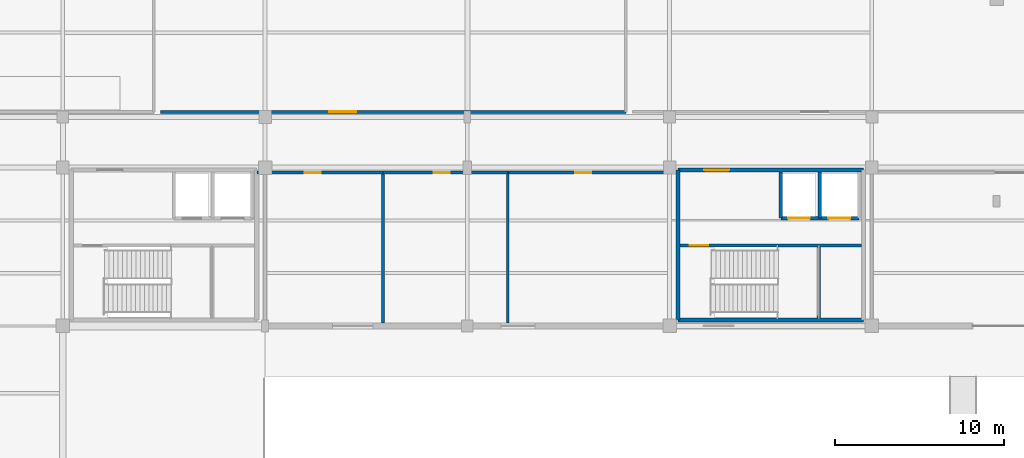
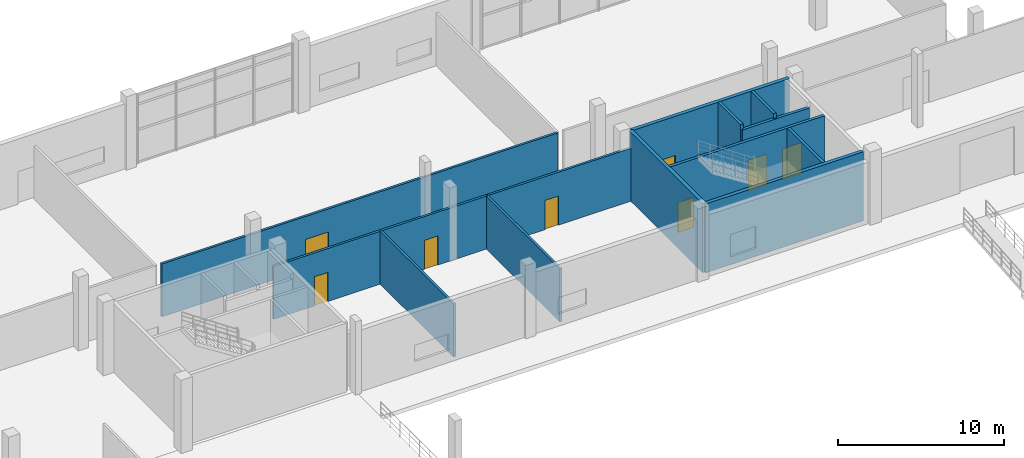
# One storey, part 61 of 85: 14 walls, 8 doors, 8 openings.
"""IFC4 building model written with IfcOpenShell, lengths in metres."""

from ifc_helpers import new_model, si_unit, direction, frame, frame_2d, origin, place, context, subcontext, project, spatial, rectangle, extrude, material, layer, layer_set, type_object, element, fill, save


model = new_model("IFC4")

# Units and contexts
model_context = context("Model", 3, precision=1e-05, world=origin(), true_north=direction((0.0, 1.0)))
body_context = subcontext(model_context, "Body", "Model", "MODEL_VIEW")
ifc_project = project(units=[si_unit("LENGTHUNIT", "METRE"), si_unit("AREAUNIT", "SQUARE_METRE"), si_unit("VOLUMEUNIT", "CUBIC_METRE"), si_unit("PLANEANGLEUNIT", "RADIAN"), si_unit("MASSUNIT", "GRAM", prefix="KILO"), si_unit("THERMODYNAMICTEMPERATUREUNIT", "KELVIN"), si_unit("POWERUNIT", "WATT")], contexts=[model_context])

# Site, building, storey
site_placement = place(None, origin())
site = spatial("IfcSite", under=ifc_project, at=site_placement, CompositionType="ELEMENT")
building_placement = place(site_placement, origin())
building = spatial("IfcBuilding", under=site, at=building_placement, Name="Solmara Park Aquatics Centre", CompositionType="ELEMENT")
storey_placement = place(building_placement, origin())
storey = spatial("IfcBuildingStorey", under=building, at=storey_placement, Name="L00", CompositionType="ELEMENT", Elevation=0.0)

# Wall
ifc_material_1 = material(Name="Concrete C40/50", Category="concrete")
ifc_layer_1 = layer(ifc_material_1, 0.25, Name="Concrete C40/50")
ifc_layer_set_1 = layer_set([ifc_layer_1], Name="Concrete C40/50")
wall_type_1 = type_object("IfcWallType", Name="ARC-WL-CORE250", PredefinedType="SHEAR", material=ifc_layer_set_1)
wall_1_placement = place(storey_placement, frame((85.10009765625, 108.949951171875, 0.0), z_axis=(0.0, 0.0, 1.0), x_axis=(1.0, 0.0, 0.0)))
element("IfcWall", 1, at=wall_1_placement, inside=storey, type_object=wall_type_1, Name="CORE-2 Core Wall S L00", PredefinedType="SHEAR", context=body_context, shape_type="SweptSolid", body=[
    extrude(rectangle(XDim=11.0, YDim=0.25, at=frame_2d((5.5, 0.0))), origin(), (0.0, 0.0, 1.0), 5.080078125),
])

# Wall, opening, door
wall_2_placement = place(storey_placement, frame((85.10009765625, 117.85009765625, 0.0), z_axis=(0.0, 0.0, 1.0), x_axis=(1.0, 0.0, 0.0)))
wall_2 = element("IfcWall", 2, at=wall_2_placement, inside=storey, type_object=wall_type_1, Name="CORE-2 Core Wall N L00", PredefinedType="SHEAR", context=body_context, shape_type="SweptSolid", body=[
    extrude(rectangle(XDim=11.0, YDim=0.25, at=frame_2d((5.5, 0.0))), origin(), (0.0, 0.0, 1.0), 5.080078125),
])
opening_1_placement = place(wall_2_placement, frame((1.550048828125, 0.0, 0.0)))
opening_1 = element("IfcOpeningElement", 3, at=opening_1_placement, cuts=wall_2, Name="Opening D-12", PredefinedType="OPENING", context=body_context, shape_type="SweptSolid", body=[
    extrude(rectangle(XDim=1.5, YDim=2.199951171875, at=frame_2d((0.75, 1.10009765625))), frame((0.0, 0.135009765625, 0.0), z_axis=(0.0, -1.0, 0.0), x_axis=(1.0, 0.0, 0.0)), (0.0, 0.0, 1.0), 0.27001953125),
])
ifc_material_2 = material(Name="Moisture-Resistant HPL & Hardwood", Category="wood")
door_type_1 = type_object("IfcDoorType", Name="ARC-DR-FD150x220", OperationType="DOUBLE_DOOR_SINGLE_SWING", PredefinedType="DOOR", material=ifc_material_2)
door_1_placement = place(opening_1_placement, origin())
door_1 = element("IfcDoor", 4, at=door_1_placement, inside=storey, type_object=door_type_1, Name="CORE-2 Lobby Entry Fire Door L00", OperationType="DOUBLE_DOOR_SINGLE_SWING", OverallHeight=2.199951171875, OverallWidth=1.5, PredefinedType="DOOR", context=body_context, shape_type="SweptSolid", body=[
    extrude(rectangle(XDim=1.5, YDim=2.199951171875, at=frame_2d((0.75, 1.10009765625))), frame((0.0, 0.02490234375, 0.0), z_axis=(0.0, -1.0, 0.0), x_axis=(1.0, 0.0, 0.0)), (0.0, 0.0, 1.0), 0.050048828125),
])
fill(opening_1, door_1)

# Wall
wall_3_placement = place(storey_placement, frame((85.10009765625, 108.949951171875, 0.0), z_axis=(0.0, 0.0, 1.0), x_axis=(0.0, 1.0, 0.0)))
element("IfcWall", 5, at=wall_3_placement, inside=storey, type_object=wall_type_1, Name="CORE-2 Core Wall W L00", PredefinedType="SHEAR", context=body_context, shape_type="SweptSolid", body=[
    extrude(rectangle(XDim=8.900146484375, YDim=0.25, at=frame_2d((4.4501953125, 0.0))), origin(), (0.0, 0.0, 1.0), 5.080078125),
])

# Wall, openings, doors
ifc_material_3 = material(Name="Concrete C25/30 Autoclaved Aerated Fire Blockwork", Category="masonry")
ifc_layer_2 = layer(ifc_material_3, 0.199951171875, Name="Concrete C25/30 Autoclaved Aerated Fire Blockwork")
ifc_layer_set_2 = layer_set([ifc_layer_2], Name="Concrete C25/30 Autoclaved Aerated Fire Blockwork")
wall_type_2 = type_object("IfcWallType", Name="ARC-WL-FIRE200", PredefinedType="SOLIDWALL", material=ifc_layer_set_2)
wall_4_placement = place(storey_placement, frame((91.199951171875, 115.0, 0.0), z_axis=(0.0, 0.0, 1.0), x_axis=(1.0, 0.0, 0.0)))
wall_4 = element("IfcWall", 6, at=wall_4_placement, inside=storey, type_object=wall_type_2, Name="CORE-2 Lift Shaft Front Wall L00", PredefinedType="SOLIDWALL", context=body_context, shape_type="SweptSolid", body=[
    extrude(rectangle(XDim=4.650146484375, YDim=0.199951171875, at=frame_2d((2.3251953125, 0.0))), origin(), (0.0, 0.0, 1.0), 4.719970703125),
])
opening_2_placement = place(wall_4_placement, frame((2.824951171875, 0.0, 0.0)))
opening_2 = element("IfcOpeningElement", 7, at=opening_2_placement, cuts=wall_4, Name="Opening D-10", PredefinedType="OPENING", context=body_context, shape_type="SweptSolid", body=[
    extrude(rectangle(XDim=1.300048828125, YDim=2.300048828125, at=frame_2d((0.64990234375, 1.14990234375))), frame((0.0, 0.10986328125, 0.0), z_axis=(0.0, -1.0, 0.0), x_axis=(1.0, 0.0, 0.0)), (0.0, 0.0, 1.0), 0.219970703125),
])
opening_3_placement = place(wall_4_placement, frame((0.425048828125, 0.0, 0.0)))
opening_3 = element("IfcOpeningElement", 8, at=opening_3_placement, cuts=wall_4, Name="Opening D-10", PredefinedType="OPENING", context=body_context, shape_type="SweptSolid", body=[
    extrude(rectangle(XDim=1.300048828125, YDim=2.300048828125, at=frame_2d((0.64990234375, 1.14990234375))), frame((0.0, 0.10986328125, 0.0), z_axis=(0.0, -1.0, 0.0), x_axis=(1.0, 0.0, 0.0)), (0.0, 0.0, 1.0), 0.219970703125),
])
ifc_material_4 = material(Name="Stainless Steel", Category="steel")
door_type_2 = type_object("IfcDoorType", Name="ARC-DR-LD130x230", OperationType="DOUBLE_DOOR_SLIDING", PredefinedType="DOOR", material=ifc_material_4)
door_2_placement = place(opening_2_placement, frame((1.300048828125, 0.0, 0.0), z_axis=(0.0, 0.0, 1.0), x_axis=(-1.0, 0.0, 0.0)))
door_2 = element("IfcDoor", 9, at=door_2_placement, inside=storey, type_object=door_type_2, Name="LF-03 Lift Landing Door L00", OperationType="DOUBLE_DOOR_SLIDING", OverallHeight=2.300048828125, OverallWidth=1.300048828125, PredefinedType="DOOR", context=body_context, shape_type="SweptSolid", body=[
    extrude(rectangle(XDim=1.300048828125, YDim=2.300048828125, at=frame_2d((0.64990234375, 1.14990234375))), frame((0.0, 0.02490234375, 0.0), z_axis=(0.0, -1.0, 0.0), x_axis=(1.0, 0.0, 0.0)), (0.0, 0.0, 1.0), 0.050048828125),
])
fill(opening_2, door_2)
door_3_placement = place(opening_3_placement, frame((1.300048828125, 0.0, 0.0), z_axis=(0.0, 0.0, 1.0), x_axis=(-1.0, 0.0, 0.0)))
door_3 = element("IfcDoor", 10, at=door_3_placement, inside=storey, type_object=door_type_2, Name="LF-04 Lift Landing Door L00", OperationType="DOUBLE_DOOR_SLIDING", OverallHeight=2.300048828125, OverallWidth=1.300048828125, PredefinedType="DOOR", context=body_context, shape_type="SweptSolid", body=[
    extrude(rectangle(XDim=1.300048828125, YDim=2.300048828125, at=frame_2d((0.64990234375, 1.14990234375))), frame((0.0, 0.02490234375, 0.0), z_axis=(0.0, -1.0, 0.0), x_axis=(1.0, 0.0, 0.0)), (0.0, 0.0, 1.0), 0.050048828125),
])
fill(opening_3, door_3)

# Walls
for number, where, z_axis, x_axis, name in (
    (11, (93.5, 115.0, 0.0), (0.0, 0.0, 1.0), (0.0, 1.0, 0.0), "LF-03 Lift Shaft W Wall L00"),
    (12, (91.199951171875, 115.0, 0.0), (0.0, 0.0, 1.0), (0.0, 1.0, 0.0), "LF-04 Lift Shaft W Wall L00"),
):
    element("IfcWall", number, at=place(storey_placement, frame(where, z_axis=z_axis, x_axis=x_axis)), inside=storey, type_object=wall_type_2, Name=name, PredefinedType="SOLIDWALL", context=body_context, shape_type="SweptSolid", body=[
        extrude(rectangle(XDim=2.75, YDim=0.199951171875, at=frame_2d((1.375, 0.0))), origin(), (0.0, 0.0, 1.0), 5.080078125),
    ])

# Wall, opening, door
ifc_material_5 = material(Name="Waterproof Tile-Faced Wet-Area Plumbing Wall", Category="concrete")
ifc_layer_3 = layer(ifc_material_5, 0.159912109375, Name="Waterproof Tile-Faced Wet-Area Plumbing Wall")
ifc_layer_set_3 = layer_set([ifc_layer_3], Name="Waterproof Tile-Faced Wet-Area Plumbing Wall")
wall_type_3 = type_object("IfcWallType", Name="ARC-WL-WET160", PredefinedType="PLUMBINGWALL", material=ifc_layer_set_3)
wall_5_placement = place(storey_placement, frame((54.39990234375, 121.300048828125, 0.0), z_axis=(0.0, 0.0, 1.0), x_axis=(1.0, 0.0, 0.0)))
wall_5 = element("IfcWall", 13, at=wall_5_placement, inside=storey, type_object=wall_type_3, Name="Interior Partition IW-L00-0075 (L00-SPA-02)", PredefinedType="PLUMBINGWALL", context=body_context, shape_type="SweptSolid", body=[
    extrude(rectangle(XDim=27.60009765625, YDim=0.159912109375, at=frame_2d((13.800048828125, 0.0))), origin(), (0.0, 0.0, 1.0), 3.89990234375),
])
opening_4_placement = place(wall_5_placement, frame((10.0, 0.0, 0.0)))
opening_4 = element("IfcOpeningElement", 14, at=opening_4_placement, cuts=wall_5, Name="Opening D-19", PredefinedType="OPENING", context=body_context, shape_type="SweptSolid", body=[
    extrude(rectangle(XDim=1.60009765625, YDim=2.199951171875, at=frame_2d((0.800048828125, 1.10009765625))), frame((0.0, 0.08984375, 0.0), z_axis=(0.0, -1.0, 0.0), x_axis=(1.0, 0.0, 0.0)), (0.0, 0.0, 1.0), 0.179931640625),
])
door_type_3 = type_object("IfcDoorType", Name="ARC-DR-DBL160x220", OperationType="DOUBLE_DOOR_SINGLE_SWING", PredefinedType="DOOR", material=ifc_material_2)
door_4_placement = place(opening_4_placement, origin())
door_4 = element("IfcDoor", 15, at=door_4_placement, inside=storey, type_object=door_type_3, Name="Sauna, Steam Room and Athlete Ice-Bath Recovery Suite Door", OperationType="DOUBLE_DOOR_SINGLE_SWING", OverallHeight=2.199951171875, OverallWidth=1.60009765625, PredefinedType="DOOR", context=body_context, shape_type="SweptSolid", body=[
    extrude(rectangle(XDim=1.60009765625, YDim=2.199951171875, at=frame_2d((0.800048828125, 1.10009765625))), frame((0.0, 0.02490234375, 0.0), z_axis=(0.0, -1.0, 0.0), x_axis=(1.0, 0.0, 0.0)), (0.0, 0.0, 1.0), 0.050048828125),
])
fill(opening_4, door_4)

# Wall
wall_6_placement = place(storey_placement, frame((67.60009765625, 108.77490234375, 0.0), z_axis=(0.0, 0.0, 1.0), x_axis=(0.0, 1.0, 0.0)))
element("IfcWall", 16, at=wall_6_placement, inside=storey, type_object=wall_type_3, Name="Interior Partition IW-L00-0080 (L00-WCF-V5)", PredefinedType="PLUMBINGWALL", context=body_context, shape_type="SweptSolid", body=[
    extrude(rectangle(XDim=8.925048828125, YDim=0.159912109375, at=frame_2d((4.46240234375, 0.0))), origin(), (0.0, 0.0, 1.0), 3.89990234375),
])

# Wall, opening, door
wall_7_placement = place(storey_placement, frame((60.110107421875, 117.699951171875, 0.0), z_axis=(0.0, 0.0, 1.0), x_axis=(1.0, 0.0, 0.0)))
wall_7 = element("IfcWall", 17, at=wall_7_placement, inside=storey, type_object=wall_type_3, Name="Interior Partition IW-L00-0081 (L00-WCF-V5)", PredefinedType="PLUMBINGWALL", context=body_context, shape_type="SweptSolid", body=[
    extrude(rectangle(XDim=7.489990234375, YDim=0.159912109375, at=frame_2d((3.7451171875, 0.0))), origin(), (0.0, 0.0, 1.0), 3.89990234375),
])
opening_5_placement = place(wall_7_placement, frame((2.840087890625, 0.0, 0.0)))
opening_5 = element("IfcOpeningElement", 18, at=opening_5_placement, cuts=wall_7, Name="Opening D-18", PredefinedType="OPENING", context=body_context, shape_type="SweptSolid", body=[
    extrude(rectangle(XDim=0.949951171875, YDim=2.14990234375, at=frame_2d((0.47509765625, 1.074951171875))), frame((0.0, 0.08984375, 0.0), z_axis=(0.0, -1.0, 0.0), x_axis=(1.0, 0.0, 0.0)), (0.0, 0.0, 1.0), 0.179931640625),
])
door_type_4 = type_object("IfcDoorType", Name="ARC-DR-WC95x220", OperationType="NOTDEFINED", PredefinedType="DOOR", material=ifc_material_2)
door_5_placement = place(opening_5_placement, origin())
door_5 = element("IfcDoor", 19, at=door_5_placement, inside=storey, type_object=door_type_4, Name="Wellness Concourse Female Toilet Door", OperationType="SINGLE_SWING_LEFT", OverallHeight=2.14990234375, OverallWidth=0.949951171875, PredefinedType="DOOR", context=body_context, shape_type="SweptSolid", body=[
    extrude(rectangle(XDim=0.949951171875, YDim=2.14990234375, at=frame_2d((0.47509765625, 1.074951171875))), frame((0.0, 0.02490234375, 0.0), z_axis=(0.0, -1.0, 0.0), x_axis=(1.0, 0.0, 0.0)), (0.0, 0.0, 1.0), 0.050048828125),
])
fill(opening_5, door_5)

# Wall
wall_8_placement = place(storey_placement, frame((75.0, 108.77490234375, 0.0), z_axis=(0.0, 0.0, 1.0), x_axis=(0.0, 1.0, 0.0)))
element("IfcWall", 20, at=wall_8_placement, inside=storey, type_object=wall_type_3, Name="Interior Partition IW-L00-0082 (L00-WCM-V5)", PredefinedType="PLUMBINGWALL", context=body_context, shape_type="SweptSolid", body=[
    extrude(rectangle(XDim=8.925048828125, YDim=0.159912109375, at=frame_2d((4.46240234375, 0.0))), origin(), (0.0, 0.0, 1.0), 3.89990234375),
])

# Wall, opening, door
wall_9_placement = place(storey_placement, frame((67.610107421875, 117.699951171875, 0.0), z_axis=(0.0, 0.0, 1.0), x_axis=(1.0, 0.0, 0.0)))
wall_9 = element("IfcWall", 21, at=wall_9_placement, inside=storey, type_object=wall_type_3, Name="Interior Partition IW-L00-0083 (L00-WCM-V5)", PredefinedType="PLUMBINGWALL", context=body_context, shape_type="SweptSolid", body=[
    extrude(rectangle(XDim=7.389892578125, YDim=0.159912109375, at=frame_2d((3.69482421875, 0.0))), origin(), (0.0, 0.0, 1.0), 3.89990234375),
])
opening_6_placement = place(wall_9_placement, frame((2.989990234375, 0.0, 0.0)))
opening_6 = element("IfcOpeningElement", 22, at=opening_6_placement, cuts=wall_9, Name="Opening D-18", PredefinedType="OPENING", context=body_context, shape_type="SweptSolid", body=[
    extrude(rectangle(XDim=0.949951171875, YDim=2.14990234375, at=frame_2d((0.47509765625, 1.074951171875))), frame((0.0, 0.08984375, 0.0), z_axis=(0.0, -1.0, 0.0), x_axis=(1.0, 0.0, 0.0)), (0.0, 0.0, 1.0), 0.179931640625),
])
door_6_placement = place(opening_6_placement, origin())
door_6 = element("IfcDoor", 23, at=door_6_placement, inside=storey, type_object=door_type_4, Name="Wellness Concourse Male Toilet Door", OperationType="SINGLE_SWING_RIGHT", OverallHeight=2.14990234375, OverallWidth=0.949951171875, PredefinedType="DOOR", context=body_context, shape_type="SweptSolid", body=[
    extrude(rectangle(XDim=0.949951171875, YDim=2.14990234375, at=frame_2d((0.47509765625, 1.074951171875))), frame((0.0, 0.02490234375, 0.0), z_axis=(0.0, -1.0, 0.0), x_axis=(1.0, 0.0, 0.0)), (0.0, 0.0, 1.0), 0.050048828125),
])
fill(opening_6, door_6)

wall_10_placement = place(storey_placement, frame((75.010009765625, 117.699951171875, 0.0), z_axis=(0.0, 0.0, 1.0), x_axis=(1.0, 0.0, 0.0)))
wall_10 = element("IfcWall", 24, at=wall_10_placement, inside=storey, type_object=wall_type_3, Name="Interior Partition IW-L00-0084 (L00-WCA-V5)", PredefinedType="PLUMBINGWALL", context=body_context, shape_type="SweptSolid", body=[
    extrude(rectangle(XDim=9.965087890625, YDim=0.159912109375, at=frame_2d((4.982421875, 0.0))), origin(), (0.0, 0.0, 1.0), 3.89990234375),
])
opening_7_placement = place(wall_10_placement, frame((3.989990234375, 0.0, 0.0)))
opening_7 = element("IfcOpeningElement", 25, at=opening_7_placement, cuts=wall_10, Name="Opening D-18", PredefinedType="OPENING", context=body_context, shape_type="SweptSolid", body=[
    extrude(rectangle(XDim=0.949951171875, YDim=2.14990234375, at=frame_2d((0.47509765625, 1.074951171875))), frame((0.0, 0.08984375, 0.0), z_axis=(0.0, -1.0, 0.0), x_axis=(1.0, 0.0, 0.0)), (0.0, 0.0, 1.0), 0.179931640625),
])
door_7_placement = place(opening_7_placement, origin())
door_7 = element("IfcDoor", 26, at=door_7_placement, inside=storey, type_object=door_type_4, Name="Wellness Accessible Shower and Changing WC Door", OperationType="SINGLE_SWING_LEFT", OverallHeight=2.14990234375, OverallWidth=0.949951171875, PredefinedType="DOOR", context=body_context, shape_type="SweptSolid", body=[
    extrude(rectangle(XDim=0.949951171875, YDim=2.14990234375, at=frame_2d((0.47509765625, 1.074951171875))), frame((0.0, 0.02490234375, 0.0), z_axis=(0.0, -1.0, 0.0), x_axis=(1.0, 0.0, 0.0)), (0.0, 0.0, 1.0), 0.050048828125),
])
fill(opening_7, door_7)

ifc_material_6 = material(Name="Concrete C35/45", Category="concrete")
ifc_layer_4 = layer(ifc_material_6, 0.199951171875, Name="Concrete C35/45")
ifc_layer_set_4 = layer_set([ifc_layer_4], Name="Concrete C35/45")
wall_type_4 = type_object("IfcWallType", Name="STR-WL-STAIR200", PredefinedType="SHEAR", material=ifc_layer_set_4)
wall_11_placement = place(storey_placement, frame((85.219970703125, 113.375, 0.0), z_axis=(0.0, 0.0, 1.0), x_axis=(1.0, 0.0, 0.0)))
wall_11 = element("IfcWall", 27, at=wall_11_placement, inside=storey, type_object=wall_type_4, Name="CORE-2 Stairwell Compartment Wall L00", PredefinedType="SHEAR", context=body_context, shape_type="SweptSolid", body=[
    extrude(rectangle(XDim=10.760009765625, YDim=0.199951171875, at=frame_2d((5.3798828125, 0.0))), origin(), (0.0, 0.0, 1.0), 5.080078125),
])
opening_8_placement = place(wall_11_placement, frame((0.580078125, 0.0, 0.0)))
opening_8 = element("IfcOpeningElement", 28, at=opening_8_placement, cuts=wall_11, Name="Opening D-11", PredefinedType="OPENING", context=body_context, shape_type="SweptSolid", body=[
    extrude(rectangle(XDim=1.10009765625, YDim=2.199951171875, at=frame_2d((0.550048828125, 1.10009765625))), frame((0.0, 0.10986328125, 0.0), z_axis=(0.0, -1.0, 0.0), x_axis=(1.0, 0.0, 0.0)), (0.0, 0.0, 1.0), 0.219970703125),
])
door_type_5 = type_object("IfcDoorType", Name="ARC-DR-FD110x220", OperationType="NOTDEFINED", PredefinedType="DOOR", material=ifc_material_2)
door_8_placement = place(opening_8_placement, frame((1.10009765625, 0.0, 0.0), z_axis=(0.0, 0.0, 1.0), x_axis=(-1.0, 0.0, 0.0)))
door_8 = element("IfcDoor", 29, at=door_8_placement, inside=storey, type_object=door_type_5, Name="ST-02 Fire Door L00", OperationType="SINGLE_SWING_RIGHT", OverallHeight=2.199951171875, OverallWidth=1.10009765625, PredefinedType="DOOR", context=body_context, shape_type="SweptSolid", body=[
    extrude(rectangle(XDim=1.10009765625, YDim=2.199951171875, at=frame_2d((0.550048828125, 1.10009765625))), frame((0.0, 0.02490234375, 0.0), z_axis=(0.0, -1.0, 0.0), x_axis=(1.0, 0.0, 0.0)), (0.0, 0.0, 1.0), 0.050048828125),
])
fill(opening_8, door_8)

# Wall
wall_12_placement = place(storey_placement, frame((93.4599609375, 109.070068359375, 0.0), z_axis=(0.0, 0.0, 1.0), x_axis=(0.0, 1.0, 0.0)))
element("IfcWall", 30, at=wall_12_placement, inside=storey, type_object=wall_type_4, Name="CORE-2 Stairwell East End Wall L00", PredefinedType="SHEAR", context=body_context, shape_type="SweptSolid", body=[
    extrude(rectangle(XDim=4.204833984375, YDim=0.199951171875, at=frame_2d((2.1025390625, 0.0))), origin(), (0.0, 0.0, 1.0), 5.080078125),
])

save(model, "model.ifc")
